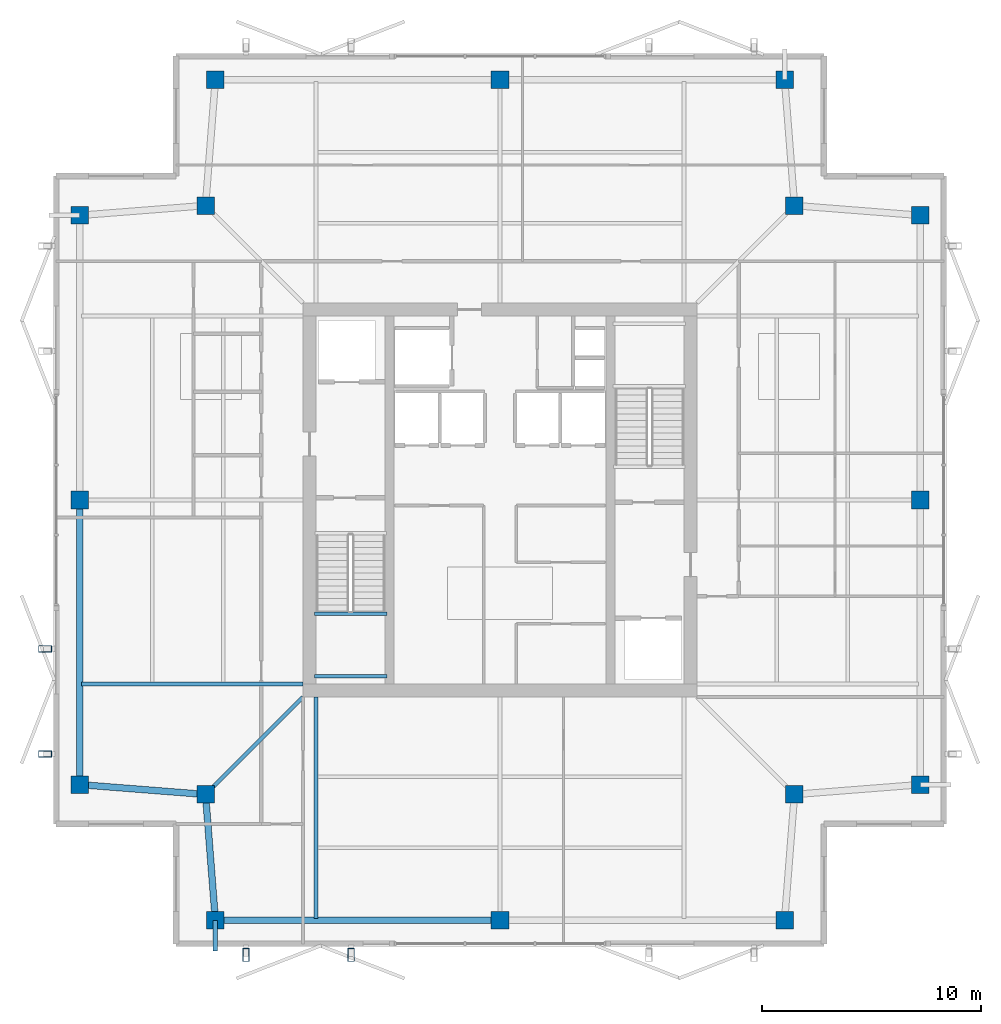
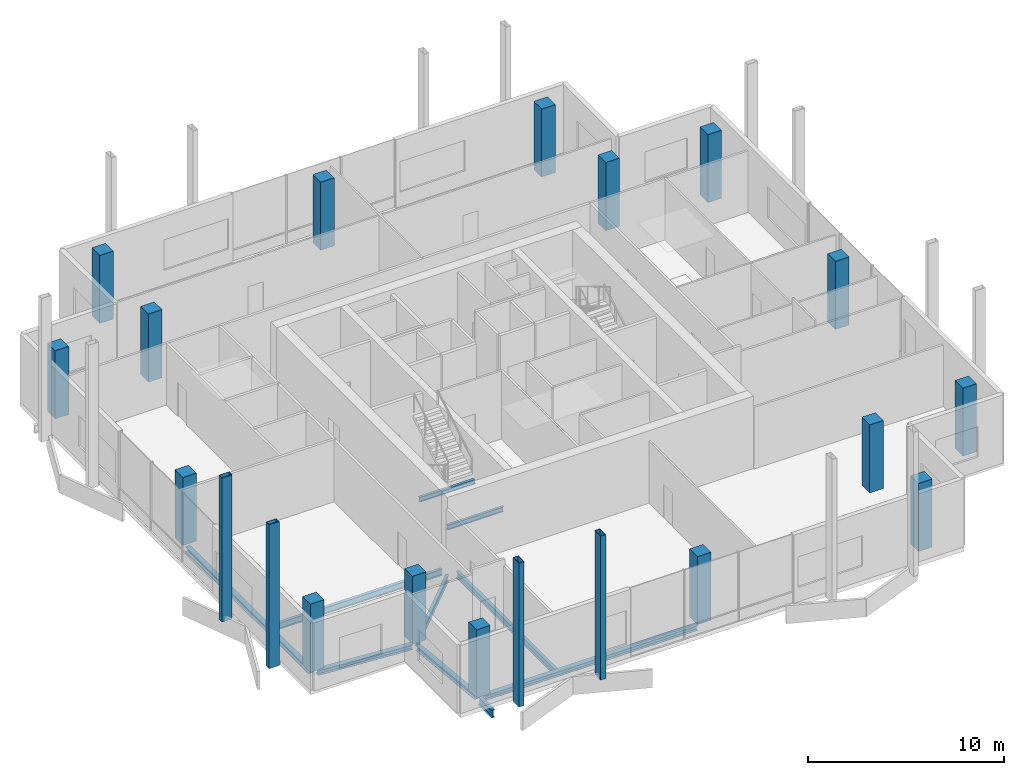
# One storey, part 1 of 15: 16 columns, 10 beams, 4 members.
"""IFC4 building model written with IfcOpenShell, lengths in metres."""

from ifc_helpers import new_model, si_unit, direction, frame, origin, origin_2d, place, context, subcontext, project, spatial, rectangle, hollow_rectangle, i_section, extrude, material, material_profile, profile_set, type_object, element, save


model = new_model("IFC4")

# Units and contexts
model_context = context("Model", 3, precision=1e-05, world=origin(), true_north=direction((0.0, 1.0)))
body_context = subcontext(model_context, "Body", "Model", "MODEL_VIEW")
ifc_project = project(units=[si_unit("LENGTHUNIT", "METRE"), si_unit("AREAUNIT", "SQUARE_METRE"), si_unit("VOLUMEUNIT", "CUBIC_METRE"), si_unit("PLANEANGLEUNIT", "RADIAN"), si_unit("MASSUNIT", "GRAM", prefix="KILO")], contexts=[model_context])

# Site, building, storey
site_placement = place(None, origin())
site = spatial("IfcSite", under=ifc_project, at=site_placement, CompositionType="ELEMENT")
building_placement = place(site_placement, origin())
building = spatial("IfcBuilding", under=site, at=building_placement, Name="Belovzor Exchange Tower", CompositionType="ELEMENT")
storey_placement = place(building_placement, frame((0.0, 0.0, 360.0)))
storey = spatial("IfcBuildingStorey", under=building, at=storey_placement, Name="L90", CompositionType="ELEMENT", Elevation=360.0)

# Columns
ifc_material_1 = material(Name="Concrete C50/60", Category="concrete")
ifc_material_profile_1 = material_profile(ifc_material_1, rectangle(XDim=0.800048828125, YDim=0.800048828125, at=origin_2d()))
ifc_profile_set_1 = profile_set([ifc_material_profile_1], Name="Concrete C50/60")
column_type = type_object("IfcColumnType", Name="Reinforced Concrete Tower Column 800x800", PredefinedType="COLUMN", material=ifc_profile_set_1)
for number, where, z_axis, x_axis, name in (
    (1, (15.800048828125, 9.60009765625, 0.0029296875), (0.0, 0.0, 1.0), (1.0, 0.0, 0.0), "COL-T080 Reinforced Concrete Tower Column 800x800"),
    (2, (28.800048828125, 9.60009765625, 0.0029296875), (0.0, 0.0, 1.0), (1.0, 0.0, 0.0), "COL-T080 Reinforced Concrete Tower Column 800x800"),
    (3, (41.800048828125, 9.60009765625, 0.0029296875), (0.0, 0.0, 1.0), (1.0, 0.0, 0.0), "COL-T080 Reinforced Concrete Tower Column 800x800"),
    (4, (48.0, 15.800048828125, 0.0029296875), (0.0, 0.0, 1.0), (1.0, 0.0, 0.0), "COL-T080 Reinforced Concrete Tower Column 800x800"),
    (5, (48.0, 28.800048828125, 0.0029296875), (0.0, 0.0, 1.0), (1.0, 0.0, 0.0), "COL-T080 Reinforced Concrete Tower Column 800x800"),
    (6, (48.0, 41.800048828125, 0.0029296875), (0.0, 0.0, 1.0), (1.0, 0.0, 0.0), "COL-T080 Reinforced Concrete Tower Column 800x800"),
    (7, (41.800048828125, 48.0, 0.0029296875), (0.0, 0.0, 1.0), (1.0, 0.0, 0.0), "COL-T080 Reinforced Concrete Tower Column 800x800"),
    (8, (28.800048828125, 48.0, 0.0029296875), (0.0, 0.0, 1.0), (1.0, 0.0, 0.0), "COL-T080 Reinforced Concrete Tower Column 800x800"),
    (9, (15.800048828125, 48.0, 0.0029296875), (0.0, 0.0, 1.0), (1.0, 0.0, 0.0), "COL-T080 Reinforced Concrete Tower Column 800x800"),
    (10, (9.60009765625, 41.800048828125, 0.0029296875), (0.0, 0.0, 1.0), (1.0, 0.0, 0.0), "COL-T080 Reinforced Concrete Tower Column 800x800"),
    (11, (9.60009765625, 28.800048828125, 0.0029296875), (0.0, 0.0, 1.0), (1.0, 0.0, 0.0), "COL-T080 Reinforced Concrete Tower Column 800x800"),
    (12, (9.60009765625, 15.800048828125, 0.0029296875), (0.0, 0.0, 1.0), (1.0, 0.0, 0.0), "COL-T080 Reinforced Concrete Tower Column 800x800"),
    (13, (15.35009765625, 15.35009765625, 0.0029296875), (0.0, 0.0, 1.0), (1.0, 0.0, 0.0), "COL-T080 Reinforced Concrete Tower Column 800x800"),
    (14, (42.25, 15.35009765625, 0.0029296875), (0.0, 0.0, 1.0), (1.0, 0.0, 0.0), "COL-T080 Reinforced Concrete Tower Column 800x800"),
    (15, (42.25, 42.25, 0.0029296875), (0.0, 0.0, 1.0), (1.0, 0.0, 0.0), "COL-T080 Reinforced Concrete Tower Column 800x800"),
    (16, (15.35009765625, 42.25, 0.0029296875), (0.0, 0.0, 1.0), (1.0, 0.0, 0.0), "COL-T080 Reinforced Concrete Tower Column 800x800"),
):
    element("IfcColumn", number, at=place(storey_placement, frame(where, z_axis=z_axis, x_axis=x_axis)), inside=storey, type_object=column_type, Name=name, PredefinedType="COLUMN", context=body_context, shape_type="SweptSolid", body=[
        extrude(rectangle(XDim=0.800048828125, YDim=0.800048828125, at=origin_2d()), origin(), (0.0, 0.0, 1.0), 4.234130859375),
    ])

# Beams
ifc_material_2 = material(Name="Steel S355", Category="steel")
ifc_material_profile_2 = material_profile(ifc_material_2, i_section(OverallWidth=0.199951171875, OverallDepth=0.5, WebThickness=0.01025390625, FlangeThickness=0.01611328125, at=origin_2d()))
ifc_profile_set_2 = profile_set([ifc_material_profile_2], Name="Steel S355")
beam_type_1 = type_object("IfcBeamType", Name="Planted Balcony Cantilever Beam IPE 500", PredefinedType="BEAM", material=ifc_profile_set_2)
beam_1_placement = place(storey_placement, frame((15.800048828125, 9.60009765625, -0.510009765625), z_axis=(0.0, -1.0, 0.0), x_axis=(1.0, 0.0, 0.0)))
element("IfcBeam", 17, at=beam_1_placement, inside=storey, type_object=beam_type_1, Name="BC-500 Planted Balcony Cantilever Beam IPE 500", PredefinedType="BEAM", context=body_context, shape_type="SweptSolid", body=[
    extrude(i_section(OverallWidth=0.199951171875, OverallDepth=0.5, WebThickness=0.01025390625, FlangeThickness=0.01611328125, at=origin_2d()), origin(), (0.0, 0.0, 1.0), 1.400146484375),
])
ifc_material_3 = material(Name="Steel S355", Category="steel")
ifc_material_profile_3 = material_profile(ifc_material_3, i_section(OverallWidth=0.14990234375, OverallDepth=0.300048828125, WebThickness=0.007080078125, FlangeThickness=0.0107421875, at=origin_2d()))
ifc_profile_set_3 = profile_set([ifc_material_profile_3], Name="Steel S355")
beam_type_2 = type_object("IfcBeamType", Name="Secondary Trim Floor Joist IPE 300", PredefinedType="BEAM", material=ifc_profile_set_3)
for number, where, z_axis, x_axis, name in (
    (18, (20.320068359375, 23.60009765625, 1.89990234375), (1.0, 0.0, 0.0), (0.0, 1.0, 0.0), "FJ-300 Secondary Trim Floor Joist IPE 300"),
    (19, (20.320068359375, 20.75, 1.89990234375), (1.0, 0.0, 0.0), (0.0, 1.0, 0.0), "FJ-300 Secondary Trim Floor Joist IPE 300"),
):
    element("IfcBeam", number, at=place(storey_placement, frame(where, z_axis=z_axis, x_axis=x_axis)), inside=storey, type_object=beam_type_2, Name=name, PredefinedType="BEAM", context=body_context, shape_type="SweptSolid", body=[
        extrude(i_section(OverallWidth=0.14990234375, OverallDepth=0.300048828125, WebThickness=0.007080078125, FlangeThickness=0.0107421875, at=origin_2d()), origin(), (0.0, 0.0, 1.0), 3.309814453125),
    ])

# Members
ifc_material_4 = material(Name="Extruded Architectural Terracotta on Steel S355 Carrier", Category="masonry")
ifc_material_profile_4 = material_profile(ifc_material_4, hollow_rectangle(XDim=0.300048828125, YDim=0.60009765625, WallThickness=0.01611328125, at=origin_2d()))
ifc_profile_set_4 = profile_set([ifc_material_profile_4], Name="Extruded Architectural Terracotta on Steel S355 Carrier")
member_type = type_object("IfcMemberType", Name="Upper Crown Terracotta Fin Assembly 550", PredefinedType="USERDEFINED", material=ifc_profile_set_4)
for number, where, z_axis, x_axis, name in (
    (20, (17.199951171875, 8.02490234375, -0.260009765625), (0.0, 0.0, 1.0), (1.0, 0.0, 0.0), "FIN-TC055 Terracotta Facade Fin L90 S1"),
    (21, (8.02490234375, 17.199951171875, -0.260009765625), (0.0, 0.0, 1.0), (0.0, 1.0, 0.0), "FIN-TC055 Terracotta Facade Fin L90 W1"),
    (22, (22.0, 8.02490234375, -0.260009765625), (0.0, 0.0, 1.0), (1.0, 0.0, 0.0), "FIN-TC055 Terracotta Facade Fin L90 S2"),
    (23, (8.02490234375, 22.0, -0.260009765625), (0.0, 0.0, 1.0), (0.0, 1.0, 0.0), "FIN-TC055 Terracotta Facade Fin L90 W2"),
):
    element("IfcMember", number, at=place(storey_placement, frame(where, z_axis=z_axis, x_axis=x_axis)), inside=storey, type_object=member_type, Name=name, ObjectType="FIN", PredefinedType="USERDEFINED", context=body_context, shape_type="SweptSolid", body=[
        extrude(hollow_rectangle(XDim=0.300048828125, YDim=0.60009765625, WallThickness=0.01611328125, at=origin_2d()), origin(), (0.0, 0.0, 1.0), 8.9599609375),
    ])

# Beams
ifc_material_5 = material(Name="Steel S355", Category="steel")
ifc_material_profile_5 = material_profile(ifc_material_5, i_section(OverallWidth=0.179931640625, OverallDepth=0.39990234375, WebThickness=0.008544921875, FlangeThickness=0.013427734375, at=origin_2d()))
ifc_profile_set_5 = profile_set([ifc_material_profile_5], Name="Steel S355")
beam_type_3 = type_object("IfcBeamType", Name="Zone 5-6 Radial Composite Floor Beam IPE 400", PredefinedType="BEAM", material=ifc_profile_set_5)
for number, where, z_axis, x_axis, name in (
    (24, (20.39990234375, 19.800048828125, -0.4599609375), (0.0, -1.0, 0.0), (1.0, 0.0, 0.0), "FB-400 Zone 5-6 Radial Composite Floor Beam IPE 400"),
    (25, (19.800048828125, 20.39990234375, -0.4599609375), (-1.0, 0.0, 0.0), (0.0, -1.0, 0.0), "FB-400 Zone 5-6 Radial Composite Floor Beam IPE 400"),
):
    element("IfcBeam", number, at=place(storey_placement, frame(where, z_axis=z_axis, x_axis=x_axis)), inside=storey, type_object=beam_type_3, Name=name, PredefinedType="BEAM", context=body_context, shape_type="SweptSolid", body=[
        extrude(i_section(OverallWidth=0.179931640625, OverallDepth=0.39990234375, WebThickness=0.008544921875, FlangeThickness=0.013427734375, at=origin_2d()), origin(), (0.0, 0.0, 1.0), 10.125),
    ])
beam_2_placement = place(storey_placement, frame((19.800048828125, 19.800048828125, -0.4599609375), z_axis=(-0.707106781187, -0.707106781187, 0.0), x_axis=(0.707106781187, -0.707106781187, 0.0)))
element("IfcBeam", 26, at=beam_2_placement, inside=storey, type_object=beam_type_3, Name="FB-400 Zone 5-6 Radial Composite Floor Beam IPE 400", PredefinedType="BEAM", context=body_context, shape_type="SweptSolid", body=[
    extrude(i_section(OverallWidth=0.179931640625, OverallDepth=0.39990234375, WebThickness=0.008544921875, FlangeThickness=0.013427734375, at=origin_2d()), origin(), (0.0, 0.0, 1.0), 6.010498046875),
])
ifc_material_6 = material(Name="Steel S355", Category="steel")
ifc_material_profile_6 = material_profile(ifc_material_6, i_section(OverallWidth=0.300048828125, OverallDepth=0.300048828125, WebThickness=0.008544921875, FlangeThickness=0.013916015625, at=origin_2d()))
ifc_profile_set_6 = profile_set([ifc_material_profile_6], Name="Steel S355")
beam_type_4 = type_object("IfcBeamType", Name="Zone 6 Primary Girder HEA 300", PredefinedType="BEAM", material=ifc_profile_set_6)
beam_3_placement = place(storey_placement, frame((15.366943359375, 15.131103515625, -0.409912109375), z_axis=(0.078076949164, -0.996947335625, 0.0), x_axis=(0.996947335625, 0.078076949164, 0.0)))
element("IfcBeam", 27, at=beam_3_placement, inside=storey, type_object=beam_type_4, Name="FG-Z6 Zone 6 Primary Girder HEA 300", PredefinedType="BEAM", context=body_context, shape_type="SweptSolid", body=[
    extrude(i_section(OverallWidth=0.300048828125, OverallDepth=0.300048828125, WebThickness=0.008544921875, FlangeThickness=0.013916015625, at=origin_2d()), origin(), (0.0, 0.0, 1.0), 5.328369140625),
])
for number, where, z_axis, x_axis, name in (
    (28, (16.02001953125, 9.60009765625, -0.409912109375), (1.0, 0.0, 0.0), (0.0, 1.0, 0.0), "FG-Z6 Zone 6 Primary Girder HEA 300"),
    (29, (9.60009765625, 28.580078125, -0.409912109375), (0.0, -1.0, 0.0), (1.0, 0.0, 0.0), "FG-Z6 Zone 6 Primary Girder HEA 300"),
):
    element("IfcBeam", number, at=place(storey_placement, frame(where, z_axis=z_axis, x_axis=x_axis)), inside=storey, type_object=beam_type_4, Name=name, PredefinedType="BEAM", context=body_context, shape_type="SweptSolid", body=[
        extrude(i_section(OverallWidth=0.300048828125, OverallDepth=0.300048828125, WebThickness=0.008544921875, FlangeThickness=0.013916015625, at=origin_2d()), origin(), (0.0, 0.0, 1.0), 12.56005859375),
    ])
beam_4_placement = place(storey_placement, frame((9.819091796875, 15.782958984375, -0.409912109375), z_axis=(0.996947335625, -0.078076949164, 0.0), x_axis=(0.078076949164, 0.996947335625, 0.0)))
element("IfcBeam", 30, at=beam_4_placement, inside=storey, type_object=beam_type_4, Name="FG-Z6 Zone 6 Primary Girder HEA 300", PredefinedType="BEAM", context=body_context, shape_type="SweptSolid", body=[
    extrude(i_section(OverallWidth=0.300048828125, OverallDepth=0.300048828125, WebThickness=0.008544921875, FlangeThickness=0.013916015625, at=origin_2d()), origin(), (0.0, 0.0, 1.0), 5.328369140625),
])

save(model, "model.ifc")
